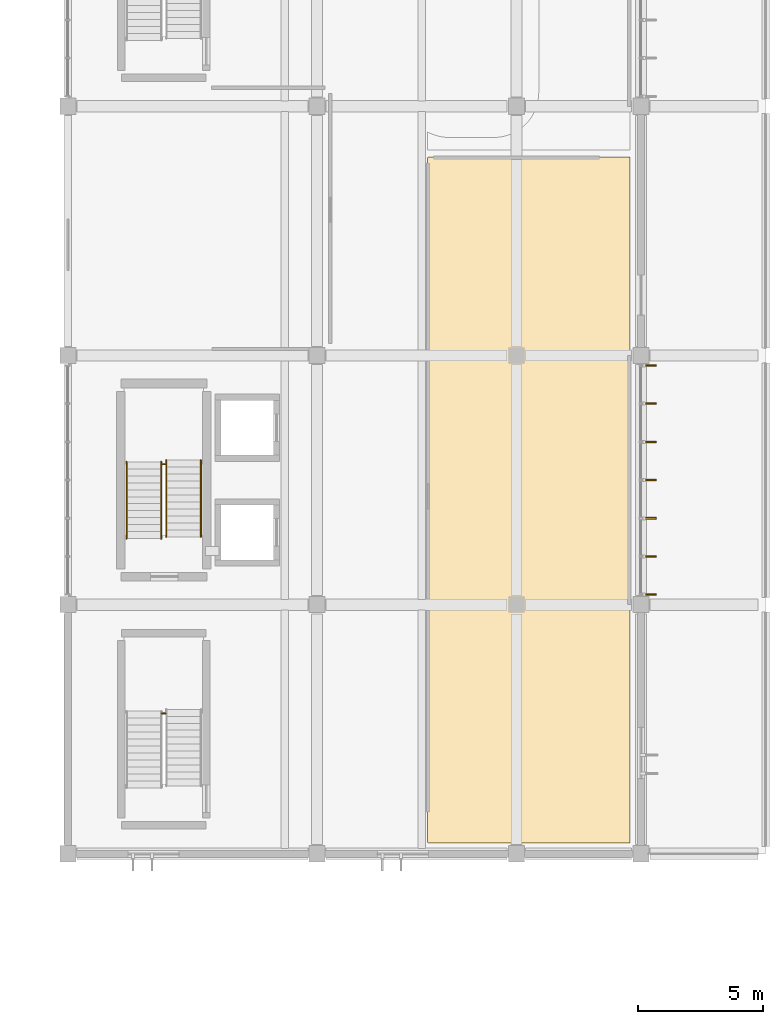
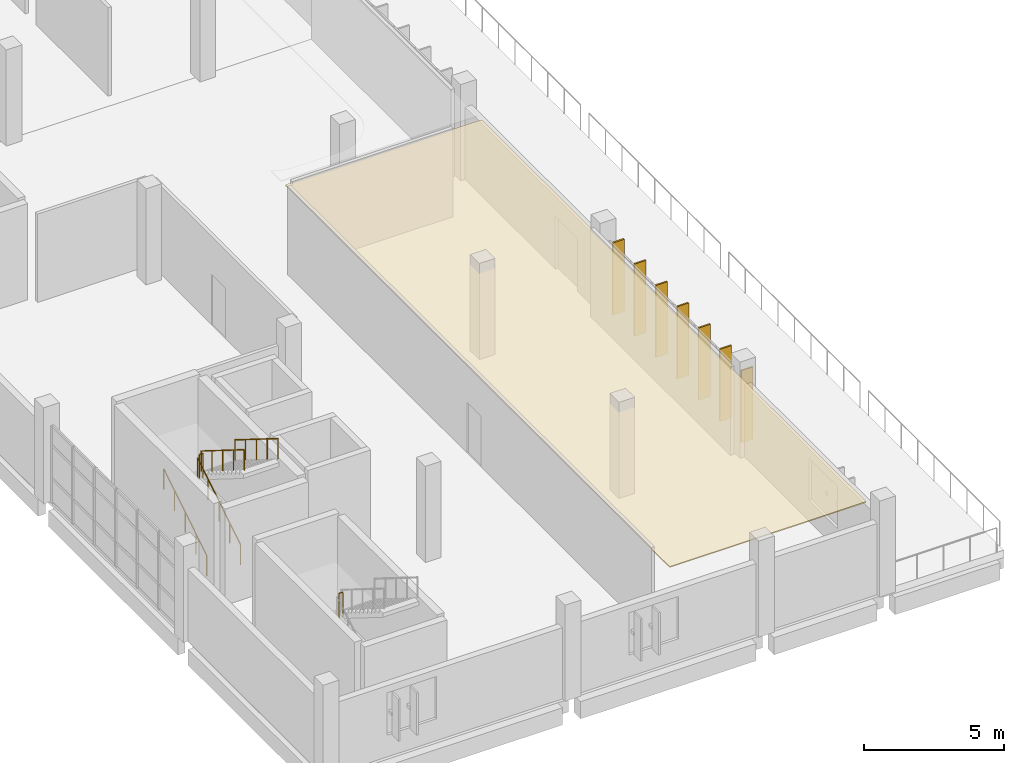
# One storey, part 134 of 142: 7 shading devices, 6 railings, 1 covering.
"""IFC4 building model written with IfcOpenShell, lengths in metres."""

from ifc_helpers import new_model, si_unit, direction, frame, origin, origin_2d, place, context, subcontext, project, spatial, polyline, rectangle, circle, outline, extrude, material, layer, layer_set, type_object, element, save


model = new_model("IFC4")

# Units and contexts
model_context = context("Model", 3, precision=1e-05, world=origin(), true_north=direction((0.0, 1.0)))
body_context = subcontext(model_context, "Body", "Model", "MODEL_VIEW")
ifc_project = project(units=[si_unit("LENGTHUNIT", "METRE"), si_unit("AREAUNIT", "SQUARE_METRE"), si_unit("VOLUMEUNIT", "CUBIC_METRE"), si_unit("PLANEANGLEUNIT", "RADIAN"), si_unit("MASSUNIT", "GRAM", prefix="KILO")], contexts=[model_context])

# Site, building, storey
site_placement = place(None, origin())
site = spatial("IfcSite", under=ifc_project, at=site_placement, CompositionType="ELEMENT")
building_placement = place(site_placement, origin())
building = spatial("IfcBuilding", under=site, at=building_placement, Name="Corvandel Quay Wholesale Market", CompositionType="ELEMENT")
storey_placement = place(building_placement, frame((0.0, 0.0, 10.800048828125)))
storey = spatial("IfcBuildingStorey", under=building, at=storey_placement, Name="L02", CompositionType="ELEMENT", Elevation=10.800048828125)

# Covering
ifc_material_1 = material(Name="Perforated powder-coated aluminium acoustic panel", Category="aluminium")
ifc_layer_1 = layer(ifc_material_1, 0.044921875)
ifc_layer_set_1 = layer_set([ifc_layer_1], Name="Perforated powder-coated aluminium acoustic panel")
covering_type = type_object("IfcCoveringType", Name="Perforated Acoustic Baffle Ceiling CLG01", PredefinedType="CEILING", material=ifc_layer_set_1)
covering_placement = place(storey_placement, frame((0.0, 0.0, 3.7099609375)))
element("IfcCovering", 1, at=covering_placement, inside=storey, type_object=covering_type, Name="Suspended Ceiling CLG-030", PredefinedType="CEILING", context=body_context, shape_type="SweptSolid", body=[
    extrude(outline(polyline([(234.4580078125, 10.43994140625), (234.4560546875, 10.43994140625), (234.4541015625, 10.44091796875), (234.451904296875, 10.44189453125), (234.450927734375, 10.44189453125), (234.448974609375, 10.443115234375), (234.447021484375, 10.445068359375), (234.446044921875, 10.446044921875), (234.445068359375, 10.447021484375), (234.443115234375, 10.448974609375), (234.44189453125, 10.450927734375), (234.44189453125, 10.451904296875), (234.44091796875, 10.4541015625), (234.43994140625, 10.4560546875), (234.43994140625, 10.4580078125), (234.43994140625, 10.4599609375), (234.43994140625, 37.93994140625), (234.43994140625, 37.94189453125), (234.43994140625, 37.944091796875), (234.44091796875, 37.946044921875), (234.44189453125, 37.947998046875), (234.44189453125, 37.948974609375), (234.443115234375, 37.950927734375), (234.445068359375, 37.952880859375), (234.446044921875, 37.9541015625), (234.447021484375, 37.955078125), (234.448974609375, 37.95703125), (234.450927734375, 37.9580078125), (234.451904296875, 37.9580078125), (234.4541015625, 37.958984375), (234.4560546875, 37.9599609375), (234.4580078125, 37.9599609375), (234.4599609375, 37.9599609375), (242.5400390625, 37.9599609375), (242.5419921875, 37.9599609375), (242.5439453125, 37.9599609375), (242.5458984375, 37.958984375), (242.548095703125, 37.9580078125), (242.549072265625, 37.9580078125), (242.551025390625, 37.95703125), (242.552978515625, 37.955078125), (242.553955078125, 37.9541015625), (242.554931640625, 37.952880859375), (242.556884765625, 37.950927734375), (242.55810546875, 37.948974609375), (242.55810546875, 37.947998046875), (242.55908203125, 37.946044921875), (242.56005859375, 37.944091796875), (242.56005859375, 37.94189453125), (242.56005859375, 37.93994140625), (242.56005859375, 10.4599609375), (242.56005859375, 10.4580078125), (242.56005859375, 10.4560546875), (242.55908203125, 10.4541015625), (242.55810546875, 10.451904296875), (242.55810546875, 10.450927734375), (242.556884765625, 10.448974609375), (242.554931640625, 10.447021484375), (242.553955078125, 10.446044921875), (242.552978515625, 10.445068359375), (242.551025390625, 10.443115234375), (242.549072265625, 10.44189453125), (242.548095703125, 10.44189453125), (242.5458984375, 10.44091796875), (242.5439453125, 10.43994140625), (242.5419921875, 10.43994140625), (242.5400390625, 10.43994140625), (234.4599609375, 10.43994140625), (234.4580078125, 10.43994140625)])), origin(), (0.0, 0.0, 1.0), 0.044921875),
])

# Railings
ifc_material_2 = material(Name="Painted galvanised tubular steel", Category="steel")
ifc_layer_2 = layer(ifc_material_2, 0.054931640625)
ifc_layer_set_2 = layer_set([ifc_layer_2], Name="Painted galvanised tubular steel")
railing_type_1 = type_object("IfcRailingType", Name="Stairwell Inner Guard Railing GR02 1100mm", PredefinedType="GUARDRAIL", material=ifc_layer_set_2)
for number, where, name in (
    (2, (223.77001953125, 25.6298828125, 2.099853515625), "Stair Landing Well Guard 0156"),
    (3, (223.77001953125, 15.6298828125, 2.099853515625), "Stair Landing Well Guard 0204"),
):
    element("IfcRailing", number, at=place(storey_placement, frame(where)), inside=storey, type_object=railing_type_1, Name=name, PredefinedType="GUARDRAIL", context=body_context, shape_type="SweptSolid", body=[
        extrude(circle(Radius=0.02392578125, at=origin_2d()), frame((0.0, 0.0, 1.076171875), z_axis=(1.0, 0.0, 0.0), x_axis=(0.0, 1.0, 0.0)), (0.0, 0.0, 1.0), 0.159912109375),
        extrude(circle(Radius=0.02099609375, at=origin_2d()), origin(), (0.0, 0.0, 1.0), 1.052001953125),
        extrude(circle(Radius=0.02099609375, at=origin_2d()), frame((0.159912109375, 0.0, 0.0)), (0.0, 0.0, 1.0), 1.052001953125),
    ])
ifc_material_3 = material(Name="Brushed austenitic stainless steel Grade 316", Category="steel")
ifc_layer_3 = layer(ifc_material_3, 0.048095703125)
ifc_layer_set_3 = layer_set([ifc_layer_3], Name="Brushed austenitic stainless steel Grade 316")
railing_type_2 = type_object("IfcRailingType", Name="Tubular Stainless Stair Handrail HR01 915mm", PredefinedType="HANDRAIL", material=ifc_layer_set_3)
for number, where, name in (
    (4, (222.360107421875, 22.64990234375, 0.175048828125), "Stair Handrail 0152"),
    (5, (223.75, 22.64990234375, 0.175048828125), "Stair Handrail 0153"),
):
    element("IfcRailing", number, at=place(storey_placement, frame(where)), inside=storey, type_object=railing_type_2, Name=name, PredefinedType="HANDRAIL", context=body_context, shape_type="SweptSolid", body=[
        extrude(circle(Radius=0.02392578125, at=origin_2d()), frame((0.0, 0.0, 0.89111328125), z_axis=(0.0, 0.848028513186, 0.529950602248), x_axis=(-1.0, 0.0, 0.0)), (0.0, 0.0, 1.0), 3.632080078125),
        extrude(circle(Radius=0.02099609375, at=origin_2d()), origin(), (0.0, 0.0, 1.0), 0.866943359375),
        extrude(circle(Radius=0.02099609375, at=origin_2d()), frame((0.0, 0.77001953125, 0.481201171875)), (0.0, 0.0, 1.0), 0.866943359375),
        extrude(circle(Radius=0.02099609375, at=origin_2d()), frame((0.0, 1.5400390625, 0.96240234375)), (0.0, 0.0, 1.0), 0.866943359375),
        extrude(circle(Radius=0.02099609375, at=origin_2d()), frame((0.0, 2.31005859375, 1.443603515625)), (0.0, 0.0, 1.0), 0.866943359375),
        extrude(circle(Radius=0.02099609375, at=origin_2d()), frame((0.0, 3.080078125, 1.9248046875)), (0.0, 0.0, 1.0), 0.866943359375),
    ])
for number, where, name in (
    (6, (223.949951171875, 25.800048828125, 2.27490234375), "Stair Handrail 0154"),
    (7, (225.340087890625, 25.800048828125, 2.27490234375), "Stair Handrail 0155"),
):
    element("IfcRailing", number, at=place(storey_placement, frame(where)), inside=storey, type_object=railing_type_2, Name=name, PredefinedType="HANDRAIL", context=body_context, shape_type="SweptSolid", body=[
        extrude(circle(Radius=0.02392578125, at=origin_2d()), frame((0.0, 0.0, 0.89111328125), z_axis=(0.0, -0.847998304005, 0.529998940003), x_axis=(1.0, 0.0, 0.0)), (0.0, 0.0, 1.0), 3.632080078125),
        extrude(circle(Radius=0.02099609375, at=origin_2d()), origin(), (0.0, 0.0, 1.0), 0.866943359375),
        extrude(circle(Radius=0.02099609375, at=origin_2d()), frame((0.0, -0.77001953125, 0.481201171875)), (0.0, 0.0, 1.0), 0.866943359375),
        extrude(circle(Radius=0.02099609375, at=origin_2d()), frame((0.0, -1.5400390625, 0.96240234375)), (0.0, 0.0, 1.0), 0.866943359375),
        extrude(circle(Radius=0.02099609375, at=origin_2d()), frame((0.0, -2.31005859375, 1.44384765625)), (0.0, 0.0, 1.0), 0.866943359375),
        extrude(circle(Radius=0.02099609375, at=origin_2d()), frame((0.0, -3.080078125, 1.925048828125)), (0.0, 0.0, 1.0), 0.866943359375),
    ])

# Shading devices
ifc_material_4 = material(Name="Bronze anodised extruded aluminium 6063-T6", Category="aluminium")
shading_device_type = type_object("IfcShadingDeviceType", Name="Vertical Anodised Bronze Solar Fin FN01 480mm", PredefinedType="JALOUSIE", material=ifc_material_4)
for number, where, z_axis, x_axis, name in (
    (8, (243.3798828125, 20.39990234375, 0.10009765625), (0.0, 0.0, 1.0), (1.0, 0.0, 0.0), "Solar Fin 0687"),
    (9, (243.3798828125, 21.933349609375, 0.10009765625), (0.0, 0.0, 1.0), (1.0, 0.0, 0.0), "Solar Fin 0688"),
    (10, (243.3798828125, 23.466796875, 0.10009765625), (0.0, 0.0, 1.0), (1.0, 0.0, 0.0), "Solar Fin 0689"),
    (11, (243.3798828125, 25.0, 0.10009765625), (0.0, 0.0, 1.0), (1.0, 0.0, 0.0), "Solar Fin 0690"),
    (12, (243.3798828125, 26.533203125, 0.10009765625), (0.0, 0.0, 1.0), (1.0, 0.0, 0.0), "Solar Fin 0691"),
    (13, (243.3798828125, 28.066650390625, 0.10009765625), (0.0, 0.0, 1.0), (1.0, 0.0, 0.0), "Solar Fin 0692"),
    (14, (243.3798828125, 29.60009765625, 0.10009765625), (0.0, 0.0, 1.0), (1.0, 0.0, 0.0), "Solar Fin 0693"),
):
    element("IfcShadingDevice", number, at=place(storey_placement, frame(where, z_axis=z_axis, x_axis=x_axis)), inside=storey, type_object=shading_device_type, Name=name, PredefinedType="JALOUSIE", context=body_context, shape_type="SweptSolid", body=[
        extrude(rectangle(XDim=0.47998046875, YDim=0.06494140625, at=origin_2d()), origin(), (0.0, 0.0, 1.0), 3.14990234375),
    ])

save(model, "model.ifc")
